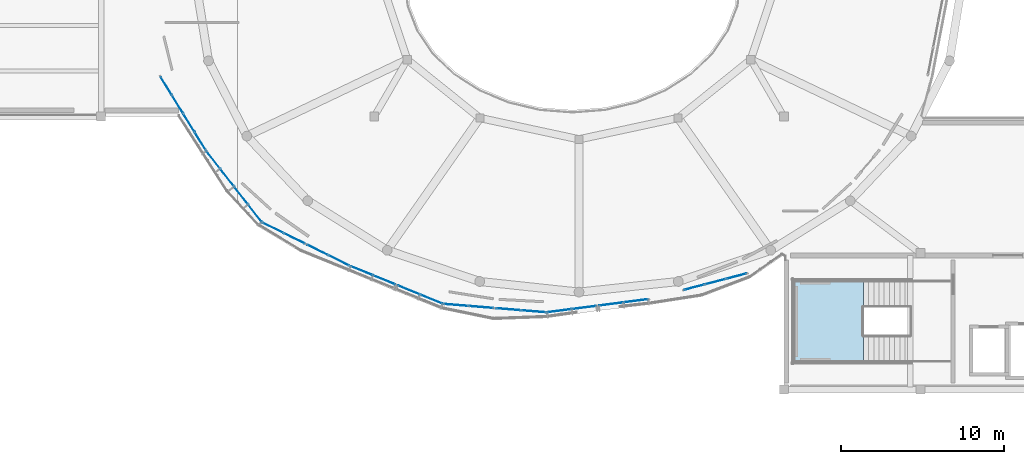
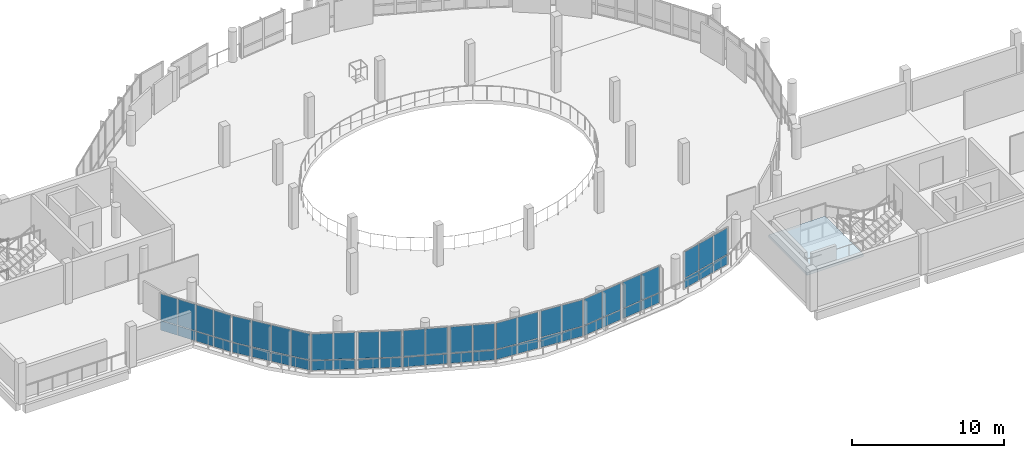
# One storey, part 27 of 43: 54 plates, 1 slab, 12 elements without a shape of their own.
"""IFC4 building model written with IfcOpenShell, lengths in metres."""

from ifc_helpers import new_model, si_unit, derived_unit, direction, frame, origin, origin_2d, place, context, subcontext, project, spatial, polyline, rectangle, outline, extrude, material, layer, layer_set, type_object, element, aggregate, save


model = new_model("IFC4")

# Units and contexts
model_context = context("Model", 3, precision=1e-05, world=origin(), true_north=direction((0.0, 1.0)))
body_context = subcontext(model_context, "Body", "Model", "MODEL_VIEW")
ifc_project = project(units=[si_unit("LENGTHUNIT", "METRE"), si_unit("AREAUNIT", "SQUARE_METRE"), si_unit("VOLUMEUNIT", "CUBIC_METRE"), si_unit("PLANEANGLEUNIT", "RADIAN"), si_unit("MASSUNIT", "GRAM", prefix="KILO"), derived_unit("THERMALTRANSMITTANCEUNIT", [(si_unit("POWERUNIT", "WATT"), 1), (si_unit("LENGTHUNIT", "METRE"), -2), (si_unit("THERMODYNAMICTEMPERATUREUNIT", "KELVIN"), -1)])], contexts=[model_context])

# Site, building, storey
site_placement = place(None, origin())
site = spatial("IfcSite", under=ifc_project, at=site_placement, CompositionType="ELEMENT")
building_placement = place(site_placement, origin())
building = spatial("IfcBuilding", under=site, at=building_placement, Name="Elbkamm Science Centre", CompositionType="ELEMENT")
storey_placement = place(building_placement, frame((0.0, 0.0, 18.300048828125)))
storey = spatial("IfcBuildingStorey", under=building, at=storey_placement, Name="L04", CompositionType="ELEMENT", Elevation=18.300048828125)

# Curtain wall, plates
ifc_material_1 = material(Name="Powder-coated aluminium and triple low-E glazing", Category="aluminium")
ifc_layer_1 = layer(ifc_material_1, 0.159912109375)
ifc_layer_set_1 = layer_set([ifc_layer_1], Name="Powder-coated aluminium and triple low-E glazing")
curtain_wall_type_1 = type_object("IfcCurtainWallType", Name="CW-UNIT-5360x3040", PredefinedType="USERDEFINED", material=ifc_layer_set_1)
curtain_wall_1_placement = place(storey_placement, origin())
curtain_wall_1 = element("IfcCurtainWall", 1, at=curtain_wall_1_placement, inside=storey, type_object=curtain_wall_type_1, Name="L04 Unitised Curtain Wall 090", ObjectType="UNITISED CURTAIN WALL", PredefinedType="USERDEFINED")
ifc_material_2 = material(Name="Triple solar-control insulated safety glass", Category="glass")
ifc_layer_2 = layer(ifc_material_2, 0.031982421875)
ifc_layer_set_2 = layer_set([ifc_layer_2], Name="Triple solar-control insulated safety glass")
plate_type = type_object("IfcPlateType", Name="CW-PNL-32", PredefinedType="CURTAIN_PANEL", material=ifc_layer_set_2)
plate_1_placement = place(storey_placement, frame((37.596435546875, 60.691162109375, 0.06005859375), z_axis=(0.0, 0.0, 1.0), x_axis=(0.524926723085, -0.85114742283, 0.0)))
plate_1 = element("IfcPlate", 2, at=plate_1_placement, type_object=plate_type, Name="CW-043 panel 1.1", PredefinedType="CURTAIN_PANEL", context=body_context, shape_type="SweptSolid", body=[
    extrude(rectangle(XDim=1.251708984375, YDim=0.031982421875, at=origin_2d()), origin(), (0.0, 0.0, 1.0), 0.760009765625),
])
plate_2_placement = place(storey_placement, frame((37.596435546875, 60.691162109375, 0.8798828125), z_axis=(0.0, 0.0, 1.0), x_axis=(0.524926723085, -0.85114742283, 0.0)))
plate_2 = element("IfcPlate", 3, at=plate_2_placement, type_object=plate_type, Name="CW-043 panel 1.2", PredefinedType="CURTAIN_PANEL", context=body_context, shape_type="SweptSolid", body=[
    extrude(rectangle(XDim=1.251708984375, YDim=0.031982421875, at=origin_2d()), origin(), (0.0, 0.0, 1.0), 2.10009765625),
])
plate_3_placement = place(storey_placement, frame((38.292724609375, 59.561767578125, 0.06005859375), z_axis=(0.0, 0.0, 1.0), x_axis=(0.524926723085, -0.85114742283, 0.0)))
plate_3 = element("IfcPlate", 4, at=plate_3_placement, type_object=plate_type, Name="CW-043 panel 2.1", PredefinedType="CURTAIN_PANEL", context=body_context, shape_type="SweptSolid", body=[
    extrude(rectangle(XDim=1.28173828125, YDim=0.031982421875, at=origin_2d()), origin(), (0.0, 0.0, 1.0), 0.760009765625),
])
plate_4_placement = place(storey_placement, frame((38.292724609375, 59.561767578125, 0.8798828125), z_axis=(0.0, 0.0, 1.0), x_axis=(0.524926723085, -0.85114742283, 0.0)))
plate_4 = element("IfcPlate", 5, at=plate_4_placement, type_object=plate_type, Name="CW-043 panel 2.2", PredefinedType="CURTAIN_PANEL", context=body_context, shape_type="SweptSolid", body=[
    extrude(rectangle(XDim=1.28173828125, YDim=0.031982421875, at=origin_2d()), origin(), (0.0, 0.0, 1.0), 2.10009765625),
])
plate_5_placement = place(storey_placement, frame((38.9970703125, 58.419677734375, 0.06005859375), z_axis=(0.0, 0.0, 1.0), x_axis=(0.524926723085, -0.85114742283, 0.0)))
plate_5 = element("IfcPlate", 6, at=plate_5_placement, type_object=plate_type, Name="CW-043 panel 3.1", PredefinedType="CURTAIN_PANEL", context=body_context, shape_type="SweptSolid", body=[
    extrude(rectangle(XDim=1.28173828125, YDim=0.031982421875, at=origin_2d()), origin(), (0.0, 0.0, 1.0), 0.760009765625),
])
plate_6_placement = place(storey_placement, frame((38.9970703125, 58.419677734375, 0.8798828125), z_axis=(0.0, 0.0, 1.0), x_axis=(0.524926723085, -0.85114742283, 0.0)))
plate_6 = element("IfcPlate", 7, at=plate_6_placement, type_object=plate_type, Name="CW-043 panel 3.2", PredefinedType="CURTAIN_PANEL", context=body_context, shape_type="SweptSolid", body=[
    extrude(rectangle(XDim=1.28173828125, YDim=0.031982421875, at=origin_2d()), origin(), (0.0, 0.0, 1.0), 2.10009765625),
])
plate_7_placement = place(storey_placement, frame((39.693603515625, 57.290283203125, 0.06005859375), z_axis=(0.0, 0.0, 1.0), x_axis=(0.524926723085, -0.85114742283, 0.0)))
plate_7 = element("IfcPlate", 8, at=plate_7_placement, type_object=plate_type, Name="CW-043 panel 4.1", PredefinedType="CURTAIN_PANEL", context=body_context, shape_type="SweptSolid", body=[
    extrude(rectangle(XDim=1.251708984375, YDim=0.031982421875, at=origin_2d()), origin(), (0.0, 0.0, 1.0), 0.760009765625),
])
plate_8_placement = place(storey_placement, frame((39.693603515625, 57.290283203125, 0.8798828125), z_axis=(0.0, 0.0, 1.0), x_axis=(0.524926723085, -0.85114742283, 0.0)))
plate_8 = element("IfcPlate", 9, at=plate_8_placement, type_object=plate_type, Name="CW-043 panel 4.2", PredefinedType="CURTAIN_PANEL", context=body_context, shape_type="SweptSolid", body=[
    extrude(rectangle(XDim=1.251708984375, YDim=0.031982421875, at=origin_2d()), origin(), (0.0, 0.0, 1.0), 2.10009765625),
])
aggregate(curtain_wall_1, [plate_1, plate_2, plate_3, plate_4, plate_5, plate_6, plate_7, plate_8])

ifc_layer_3 = layer(ifc_material_1, 0.159912109375)
ifc_layer_set_3 = layer_set([ifc_layer_3], Name="Powder-coated aluminium and triple low-E glazing")
curtain_wall_type_2 = type_object("IfcCurtainWallType", Name="CW-UNIT-5600x3040", PredefinedType="USERDEFINED", material=ifc_layer_set_3)
curtain_wall_2_placement = place(storey_placement, origin())
curtain_wall_2 = element("IfcCurtainWall", 10, at=curtain_wall_2_placement, inside=storey, type_object=curtain_wall_type_2, Name="L04 Unitised Curtain Wall 091", ObjectType="UNITISED CURTAIN WALL", PredefinedType="USERDEFINED")
plate_9_placement = place(storey_placement, frame((40.4931640625, 56.142822265625, 0.06005859375), z_axis=(0.0, 0.0, 1.0), x_axis=(0.614805707522, -0.788678605009, 0.0)))
plate_9 = element("IfcPlate", 11, at=plate_9_placement, type_object=plate_type, Name="CW-044 panel 1.1", PredefinedType="CURTAIN_PANEL", context=body_context, shape_type="SweptSolid", body=[
    extrude(rectangle(XDim=1.309814453125, YDim=0.031982421875, at=origin_2d()), origin(), (0.0, 0.0, 1.0), 0.760009765625),
])
plate_10_placement = place(storey_placement, frame((40.4931640625, 56.142822265625, 0.8798828125), z_axis=(0.0, 0.0, 1.0), x_axis=(0.614805707522, -0.788678605009, 0.0)))
plate_10 = element("IfcPlate", 12, at=plate_10_placement, type_object=plate_type, Name="CW-044 panel 1.2", PredefinedType="CURTAIN_PANEL", context=body_context, shape_type="SweptSolid", body=[
    extrude(rectangle(XDim=1.309814453125, YDim=0.031982421875, at=origin_2d()), origin(), (0.0, 0.0, 1.0), 2.10009765625),
])
plate_11_placement = place(storey_placement, frame((41.3447265625, 55.050537109375, 0.06005859375), z_axis=(0.0, 0.0, 1.0), x_axis=(0.614805707522, -0.788678605009, 0.0)))
plate_11 = element("IfcPlate", 13, at=plate_11_placement, type_object=plate_type, Name="CW-044 panel 2.1", PredefinedType="CURTAIN_PANEL", context=body_context, shape_type="SweptSolid", body=[
    extrude(rectangle(XDim=1.33984375, YDim=0.031982421875, at=origin_2d()), origin(), (0.0, 0.0, 1.0), 0.760009765625),
])
plate_12_placement = place(storey_placement, frame((41.3447265625, 55.050537109375, 0.8798828125), z_axis=(0.0, 0.0, 1.0), x_axis=(0.614805707522, -0.788678605009, 0.0)))
plate_12 = element("IfcPlate", 14, at=plate_12_placement, type_object=plate_type, Name="CW-044 panel 2.2", PredefinedType="CURTAIN_PANEL", context=body_context, shape_type="SweptSolid", body=[
    extrude(rectangle(XDim=1.33984375, YDim=0.031982421875, at=origin_2d()), origin(), (0.0, 0.0, 1.0), 2.10009765625),
])
plate_13_placement = place(storey_placement, frame((42.205322265625, 53.946533203125, 0.06005859375), z_axis=(0.0, 0.0, 1.0), x_axis=(0.614805707522, -0.788678605009, 0.0)))
plate_13 = element("IfcPlate", 15, at=plate_13_placement, type_object=plate_type, Name="CW-044 panel 3.1", PredefinedType="CURTAIN_PANEL", context=body_context, shape_type="SweptSolid", body=[
    extrude(rectangle(XDim=1.33984375, YDim=0.031982421875, at=origin_2d()), origin(), (0.0, 0.0, 1.0), 0.760009765625),
])
plate_14_placement = place(storey_placement, frame((42.205322265625, 53.946533203125, 0.8798828125), z_axis=(0.0, 0.0, 1.0), x_axis=(0.614805707522, -0.788678605009, 0.0)))
plate_14 = element("IfcPlate", 16, at=plate_14_placement, type_object=plate_type, Name="CW-044 panel 3.2", PredefinedType="CURTAIN_PANEL", context=body_context, shape_type="SweptSolid", body=[
    extrude(rectangle(XDim=1.33984375, YDim=0.031982421875, at=origin_2d()), origin(), (0.0, 0.0, 1.0), 2.10009765625),
])
plate_15_placement = place(storey_placement, frame((43.056640625, 52.854248046875, 0.06005859375), z_axis=(0.0, 0.0, 1.0), x_axis=(0.614805707522, -0.788678605009, 0.0)))
plate_15 = element("IfcPlate", 17, at=plate_15_placement, type_object=plate_type, Name="CW-044 panel 4.1", PredefinedType="CURTAIN_PANEL", context=body_context, shape_type="SweptSolid", body=[
    extrude(rectangle(XDim=1.309814453125, YDim=0.031982421875, at=origin_2d()), origin(), (0.0, 0.0, 1.0), 0.760009765625),
])
plate_16_placement = place(storey_placement, frame((43.056640625, 52.854248046875, 0.8798828125), z_axis=(0.0, 0.0, 1.0), x_axis=(0.614805707522, -0.788678605009, 0.0)))
plate_16 = element("IfcPlate", 18, at=plate_16_placement, type_object=plate_type, Name="CW-044 panel 4.2", PredefinedType="CURTAIN_PANEL", context=body_context, shape_type="SweptSolid", body=[
    extrude(rectangle(XDim=1.309814453125, YDim=0.031982421875, at=origin_2d()), origin(), (0.0, 0.0, 1.0), 2.10009765625),
])
aggregate(curtain_wall_2, [plate_9, plate_10, plate_11, plate_12, plate_13, plate_14, plate_15, plate_16])

ifc_layer_4 = layer(ifc_material_1, 0.159912109375)
ifc_layer_set_4 = layer_set([ifc_layer_4], Name="Powder-coated aluminium and triple low-E glazing")
curtain_wall_type_3 = type_object("IfcCurtainWallType", Name="CW-UNIT-2980x3040", PredefinedType="USERDEFINED", material=ifc_layer_set_4)
curtain_wall_3_placement = place(storey_placement, origin())
curtain_wall_3 = element("IfcCurtainWall", 19, at=curtain_wall_3_placement, inside=storey, type_object=curtain_wall_type_3, Name="L04 Unitised Curtain Wall 092", ObjectType="UNITISED CURTAIN WALL", PredefinedType="USERDEFINED")
plate_17_placement = place(storey_placement, frame((44.177001953125, 51.953125, 0.06005859375), z_axis=(0.0, 0.0, 1.0), x_axis=(0.896106095888, -0.443839909102, 0.0)))
plate_17 = element("IfcPlate", 20, at=plate_17_placement, type_object=plate_type, Name="CW-045 panel 1.1", PredefinedType="CURTAIN_PANEL", context=body_context, shape_type="SweptSolid", body=[
    extrude(rectangle(XDim=1.3994140625, YDim=0.031982421875, at=origin_2d()), origin(), (0.0, 0.0, 1.0), 0.760009765625),
])
plate_18_placement = place(storey_placement, frame((44.177001953125, 51.953125, 0.8798828125), z_axis=(0.0, 0.0, 1.0), x_axis=(0.896106095888, -0.443839909102, 0.0)))
plate_18 = element("IfcPlate", 21, at=plate_18_placement, type_object=plate_type, Name="CW-045 panel 1.2", PredefinedType="CURTAIN_PANEL", context=body_context, shape_type="SweptSolid", body=[
    extrude(rectangle(XDim=1.3994140625, YDim=0.031982421875, at=origin_2d()), origin(), (0.0, 0.0, 1.0), 2.10009765625),
])
plate_19_placement = place(storey_placement, frame((45.48486328125, 51.305419921875, 0.06005859375), z_axis=(0.0, 0.0, 1.0), x_axis=(0.896106095888, -0.443839909102, 0.0)))
plate_19 = element("IfcPlate", 22, at=plate_19_placement, type_object=plate_type, Name="CW-045 panel 2.1", PredefinedType="CURTAIN_PANEL", context=body_context, shape_type="SweptSolid", body=[
    extrude(rectangle(XDim=1.3994140625, YDim=0.031982421875, at=origin_2d()), origin(), (0.0, 0.0, 1.0), 0.760009765625),
])
plate_20_placement = place(storey_placement, frame((45.48486328125, 51.305419921875, 0.8798828125), z_axis=(0.0, 0.0, 1.0), x_axis=(0.896106095888, -0.443839909102, 0.0)))
plate_20 = element("IfcPlate", 23, at=plate_20_placement, type_object=plate_type, Name="CW-045 panel 2.2", PredefinedType="CURTAIN_PANEL", context=body_context, shape_type="SweptSolid", body=[
    extrude(rectangle(XDim=1.3994140625, YDim=0.031982421875, at=origin_2d()), origin(), (0.0, 0.0, 1.0), 2.10009765625),
])
aggregate(curtain_wall_3, [plate_17, plate_18, plate_19, plate_20])

curtain_wall_4_placement = place(storey_placement, origin())
curtain_wall_4 = element("IfcCurtainWall", 24, at=curtain_wall_4_placement, inside=storey, type_object=curtain_wall_type_3, Name="L04 Unitised Curtain Wall 093", ObjectType="UNITISED CURTAIN WALL", PredefinedType="USERDEFINED")
plate_21_placement = place(storey_placement, frame((46.91796875, 50.595458984375, 0.06005859375), z_axis=(0.0, 0.0, 1.0), x_axis=(0.896106095888, -0.443839909102, 0.0)))
plate_21 = element("IfcPlate", 25, at=plate_21_placement, type_object=plate_type, Name="CW-045 panel 1.1", PredefinedType="CURTAIN_PANEL", context=body_context, shape_type="SweptSolid", body=[
    extrude(rectangle(XDim=1.3994140625, YDim=0.031982421875, at=origin_2d()), origin(), (0.0, 0.0, 1.0), 0.760009765625),
])
plate_22_placement = place(storey_placement, frame((46.91796875, 50.595458984375, 0.8798828125), z_axis=(0.0, 0.0, 1.0), x_axis=(0.896106095888, -0.443839909102, 0.0)))
plate_22 = element("IfcPlate", 26, at=plate_22_placement, type_object=plate_type, Name="CW-045 panel 1.2", PredefinedType="CURTAIN_PANEL", context=body_context, shape_type="SweptSolid", body=[
    extrude(rectangle(XDim=1.3994140625, YDim=0.031982421875, at=origin_2d()), origin(), (0.0, 0.0, 1.0), 2.10009765625),
])
plate_23_placement = place(storey_placement, frame((48.225830078125, 49.94775390625, 0.06005859375), z_axis=(0.0, 0.0, 1.0), x_axis=(0.896106095888, -0.443839909102, 0.0)))
plate_23 = element("IfcPlate", 27, at=plate_23_placement, type_object=plate_type, Name="CW-045 panel 2.1", PredefinedType="CURTAIN_PANEL", context=body_context, shape_type="SweptSolid", body=[
    extrude(rectangle(XDim=1.3994140625, YDim=0.031982421875, at=origin_2d()), origin(), (0.0, 0.0, 1.0), 0.760009765625),
])
plate_24_placement = place(storey_placement, frame((48.225830078125, 49.94775390625, 0.8798828125), z_axis=(0.0, 0.0, 1.0), x_axis=(0.896106095888, -0.443839909102, 0.0)))
plate_24 = element("IfcPlate", 28, at=plate_24_placement, type_object=plate_type, Name="CW-045 panel 2.2", PredefinedType="CURTAIN_PANEL", context=body_context, shape_type="SweptSolid", body=[
    extrude(rectangle(XDim=1.3994140625, YDim=0.031982421875, at=origin_2d()), origin(), (0.0, 0.0, 1.0), 2.10009765625),
])
aggregate(curtain_wall_4, [plate_21, plate_22, plate_23, plate_24])

ifc_layer_5 = layer(ifc_material_1, 0.159912109375)
ifc_layer_set_5 = layer_set([ifc_layer_5], Name="Powder-coated aluminium and triple low-E glazing")
curtain_wall_type_4 = type_object("IfcCurtainWallType", Name="CW-UNIT-3060x3040", PredefinedType="USERDEFINED", material=ifc_layer_set_5)
curtain_wall_5_placement = place(storey_placement, origin())
curtain_wall_5 = element("IfcCurtainWall", 29, at=curtain_wall_5_placement, inside=storey, type_object=curtain_wall_type_4, Name="L04 Unitised Curtain Wall 094", ObjectType="UNITISED CURTAIN WALL", PredefinedType="USERDEFINED")
plate_25_placement = place(storey_placement, frame((49.626953125, 49.31640625, 0.06005859375), z_axis=(0.0, 0.0, 1.0), x_axis=(0.925805063176, -0.378001302905, 0.0)))
plate_25 = element("IfcPlate", 30, at=plate_25_placement, type_object=plate_type, Name="CW-046 panel 1.1", PredefinedType="CURTAIN_PANEL", context=body_context, shape_type="SweptSolid", body=[
    extrude(rectangle(XDim=1.436279296875, YDim=0.031982421875, at=origin_2d()), origin(), (0.0, 0.0, 1.0), 0.760009765625),
])
plate_26_placement = place(storey_placement, frame((49.626953125, 49.31640625, 0.8798828125), z_axis=(0.0, 0.0, 1.0), x_axis=(0.925805063176, -0.378001302905, 0.0)))
plate_26 = element("IfcPlate", 31, at=plate_26_placement, type_object=plate_type, Name="CW-046 panel 1.2", PredefinedType="CURTAIN_PANEL", context=body_context, shape_type="SweptSolid", body=[
    extrude(rectangle(XDim=1.436279296875, YDim=0.031982421875, at=origin_2d()), origin(), (0.0, 0.0, 1.0), 2.10009765625),
])
plate_27_placement = place(storey_placement, frame((51.01220703125, 48.7509765625, 0.06005859375), z_axis=(0.0, 0.0, 1.0), x_axis=(0.925805063176, -0.378001302905, 0.0)))
plate_27 = element("IfcPlate", 32, at=plate_27_placement, type_object=plate_type, Name="CW-046 panel 2.1", PredefinedType="CURTAIN_PANEL", context=body_context, shape_type="SweptSolid", body=[
    extrude(rectangle(XDim=1.436279296875, YDim=0.031982421875, at=origin_2d()), origin(), (0.0, 0.0, 1.0), 0.760009765625),
])
plate_28_placement = place(storey_placement, frame((51.01220703125, 48.7509765625, 0.8798828125), z_axis=(0.0, 0.0, 1.0), x_axis=(0.925805063176, -0.378001302905, 0.0)))
plate_28 = element("IfcPlate", 33, at=plate_28_placement, type_object=plate_type, Name="CW-046 panel 2.2", PredefinedType="CURTAIN_PANEL", context=body_context, shape_type="SweptSolid", body=[
    extrude(rectangle(XDim=1.436279296875, YDim=0.031982421875, at=origin_2d()), origin(), (0.0, 0.0, 1.0), 2.10009765625),
])
aggregate(curtain_wall_5, [plate_25, plate_26, plate_27, plate_28])

curtain_wall_6_placement = place(storey_placement, origin())
curtain_wall_6 = element("IfcCurtainWall", 34, at=curtain_wall_6_placement, inside=storey, type_object=curtain_wall_type_4, Name="L04 Unitised Curtain Wall 095", ObjectType="UNITISED CURTAIN WALL", PredefinedType="USERDEFINED")
plate_29_placement = place(storey_placement, frame((52.52685546875, 48.13232421875, 0.06005859375), z_axis=(0.0, 0.0, 1.0), x_axis=(0.925805063176, -0.378001302905, 0.0)))
plate_29 = element("IfcPlate", 35, at=plate_29_placement, type_object=plate_type, Name="CW-046 panel 1.1", PredefinedType="CURTAIN_PANEL", context=body_context, shape_type="SweptSolid", body=[
    extrude(rectangle(XDim=1.436279296875, YDim=0.031982421875, at=origin_2d()), origin(), (0.0, 0.0, 1.0), 0.760009765625),
])
plate_30_placement = place(storey_placement, frame((52.52685546875, 48.13232421875, 0.8798828125), z_axis=(0.0, 0.0, 1.0), x_axis=(0.925805063176, -0.378001302905, 0.0)))
plate_30 = element("IfcPlate", 36, at=plate_30_placement, type_object=plate_type, Name="CW-046 panel 1.2", PredefinedType="CURTAIN_PANEL", context=body_context, shape_type="SweptSolid", body=[
    extrude(rectangle(XDim=1.436279296875, YDim=0.031982421875, at=origin_2d()), origin(), (0.0, 0.0, 1.0), 2.10009765625),
])
plate_31_placement = place(storey_placement, frame((53.912109375, 47.56689453125, 0.06005859375), z_axis=(0.0, 0.0, 1.0), x_axis=(0.925805063176, -0.378001302905, 0.0)))
plate_31 = element("IfcPlate", 37, at=plate_31_placement, type_object=plate_type, Name="CW-046 panel 2.1", PredefinedType="CURTAIN_PANEL", context=body_context, shape_type="SweptSolid", body=[
    extrude(rectangle(XDim=1.436279296875, YDim=0.031982421875, at=origin_2d()), origin(), (0.0, 0.0, 1.0), 0.760009765625),
])
plate_32_placement = place(storey_placement, frame((53.912109375, 47.56689453125, 0.8798828125), z_axis=(0.0, 0.0, 1.0), x_axis=(0.925805063176, -0.378001302905, 0.0)))
plate_32 = element("IfcPlate", 38, at=plate_32_placement, type_object=plate_type, Name="CW-046 panel 2.2", PredefinedType="CURTAIN_PANEL", context=body_context, shape_type="SweptSolid", body=[
    extrude(rectangle(XDim=1.436279296875, YDim=0.031982421875, at=origin_2d()), origin(), (0.0, 0.0, 1.0), 2.10009765625),
])
aggregate(curtain_wall_6, [plate_29, plate_30, plate_31, plate_32])

ifc_layer_6 = layer(ifc_material_1, 0.159912109375)
ifc_layer_set_6 = layer_set([ifc_layer_6], Name="Powder-coated aluminium and triple low-E glazing")
curtain_wall_type_5 = type_object("IfcCurtainWallType", Name="CW-UNIT-3160x3040", PredefinedType="USERDEFINED", material=ifc_layer_set_6)
curtain_wall_7_placement = place(storey_placement, origin())
curtain_wall_7 = element("IfcCurtainWall", 39, at=curtain_wall_7_placement, inside=storey, type_object=curtain_wall_type_5, Name="L04 Unitised Curtain Wall 096", ObjectType="UNITISED CURTAIN WALL", PredefinedType="USERDEFINED")
plate_33_placement = place(storey_placement, frame((55.433349609375, 47.20703125, 0.06005859375), z_axis=(0.0, 0.0, 1.0), x_axis=(0.996647104117, -0.081820228887, 0.0)))
plate_33 = element("IfcPlate", 40, at=plate_33_placement, type_object=plate_type, Name="CW-047 panel 1.1", PredefinedType="CURTAIN_PANEL", context=body_context, shape_type="SweptSolid", body=[
    extrude(rectangle(XDim=1.4873046875, YDim=0.031982421875, at=origin_2d()), origin(), (0.0, 0.0, 1.0), 0.760009765625),
])
plate_34_placement = place(storey_placement, frame((55.433349609375, 47.20703125, 0.8798828125), z_axis=(0.0, 0.0, 1.0), x_axis=(0.996647104117, -0.081820228887, 0.0)))
plate_34 = element("IfcPlate", 41, at=plate_34_placement, type_object=plate_type, Name="CW-047 panel 1.2", PredefinedType="CURTAIN_PANEL", context=body_context, shape_type="SweptSolid", body=[
    extrude(rectangle(XDim=1.4873046875, YDim=0.031982421875, at=origin_2d()), origin(), (0.0, 0.0, 1.0), 2.10009765625),
])
plate_35_placement = place(storey_placement, frame((56.9755859375, 47.080322265625, 0.06005859375), z_axis=(0.0, 0.0, 1.0), x_axis=(0.996647104117, -0.081820228887, 0.0)))
plate_35 = element("IfcPlate", 42, at=plate_35_placement, type_object=plate_type, Name="CW-047 panel 2.1", PredefinedType="CURTAIN_PANEL", context=body_context, shape_type="SweptSolid", body=[
    extrude(rectangle(XDim=1.4873046875, YDim=0.031982421875, at=origin_2d()), origin(), (0.0, 0.0, 1.0), 0.760009765625),
])
plate_36_placement = place(storey_placement, frame((56.9755859375, 47.080322265625, 0.8798828125), z_axis=(0.0, 0.0, 1.0), x_axis=(0.996647104117, -0.081820228887, 0.0)))
plate_36 = element("IfcPlate", 43, at=plate_36_placement, type_object=plate_type, Name="CW-047 panel 2.2", PredefinedType="CURTAIN_PANEL", context=body_context, shape_type="SweptSolid", body=[
    extrude(rectangle(XDim=1.4873046875, YDim=0.031982421875, at=origin_2d()), origin(), (0.0, 0.0, 1.0), 2.10009765625),
])
aggregate(curtain_wall_7, [plate_33, plate_34, plate_35, plate_36])

curtain_wall_8_placement = place(storey_placement, origin())
curtain_wall_8 = element("IfcCurtainWall", 44, at=curtain_wall_8_placement, inside=storey, type_object=curtain_wall_type_5, Name="L04 Unitised Curtain Wall 097", ObjectType="UNITISED CURTAIN WALL", PredefinedType="USERDEFINED")
plate_37_placement = place(storey_placement, frame((58.656982421875, 46.9423828125, 0.06005859375), z_axis=(0.0, 0.0, 1.0), x_axis=(0.996647104117, -0.081820228887, 0.0)))
plate_37 = element("IfcPlate", 45, at=plate_37_placement, type_object=plate_type, Name="CW-047 panel 1.1", PredefinedType="CURTAIN_PANEL", context=body_context, shape_type="SweptSolid", body=[
    extrude(rectangle(XDim=1.4873046875, YDim=0.031982421875, at=origin_2d()), origin(), (0.0, 0.0, 1.0), 0.760009765625),
])
plate_38_placement = place(storey_placement, frame((58.656982421875, 46.9423828125, 0.8798828125), z_axis=(0.0, 0.0, 1.0), x_axis=(0.996647104117, -0.081820228887, 0.0)))
plate_38 = element("IfcPlate", 46, at=plate_38_placement, type_object=plate_type, Name="CW-047 panel 1.2", PredefinedType="CURTAIN_PANEL", context=body_context, shape_type="SweptSolid", body=[
    extrude(rectangle(XDim=1.4873046875, YDim=0.031982421875, at=origin_2d()), origin(), (0.0, 0.0, 1.0), 2.10009765625),
])
plate_39_placement = place(storey_placement, frame((60.198974609375, 46.815673828125, 0.06005859375), z_axis=(0.0, 0.0, 1.0), x_axis=(0.996647104117, -0.081820228887, 0.0)))
plate_39 = element("IfcPlate", 47, at=plate_39_placement, type_object=plate_type, Name="CW-047 panel 2.1", PredefinedType="CURTAIN_PANEL", context=body_context, shape_type="SweptSolid", body=[
    extrude(rectangle(XDim=1.4873046875, YDim=0.031982421875, at=origin_2d()), origin(), (0.0, 0.0, 1.0), 0.760009765625),
])
plate_40_placement = place(storey_placement, frame((60.198974609375, 46.815673828125, 0.8798828125), z_axis=(0.0, 0.0, 1.0), x_axis=(0.996647104117, -0.081820228887, 0.0)))
plate_40 = element("IfcPlate", 48, at=plate_40_placement, type_object=plate_type, Name="CW-047 panel 2.2", PredefinedType="CURTAIN_PANEL", context=body_context, shape_type="SweptSolid", body=[
    extrude(rectangle(XDim=1.4873046875, YDim=0.031982421875, at=origin_2d()), origin(), (0.0, 0.0, 1.0), 2.10009765625),
])
aggregate(curtain_wall_8, [plate_37, plate_38, plate_39, plate_40])

ifc_layer_7 = layer(ifc_material_1, 0.159912109375)
ifc_layer_set_7 = layer_set([ifc_layer_7], Name="Powder-coated aluminium and triple low-E glazing")
curtain_wall_type_6 = type_object("IfcCurtainWallType", Name="CW-UNIT-3140x3040", PredefinedType="USERDEFINED", material=ifc_layer_set_7)
curtain_wall_9_placement = place(storey_placement, origin())
curtain_wall_9 = element("IfcCurtainWall", 49, at=curtain_wall_9_placement, inside=storey, type_object=curtain_wall_type_6, Name="L04 Unitised Curtain Wall 098", ObjectType="UNITISED CURTAIN WALL", PredefinedType="USERDEFINED")
plate_41_placement = place(storey_placement, frame((61.791015625, 46.852783203125, 0.06005859375), z_axis=(0.0, 0.0, 1.0), x_axis=(0.991676470219, 0.128754721912, 0.0)))
plate_41 = element("IfcPlate", 50, at=plate_41_placement, type_object=plate_type, Name="CW-048 panel 1.1", PredefinedType="CURTAIN_PANEL", context=body_context, shape_type="SweptSolid", body=[
    extrude(rectangle(XDim=1.475341796875, YDim=0.031982421875, at=origin_2d()), origin(), (0.0, 0.0, 1.0), 0.760009765625),
])
plate_42_placement = place(storey_placement, frame((61.791015625, 46.852783203125, 0.8798828125), z_axis=(0.0, 0.0, 1.0), x_axis=(0.991676470219, 0.128754721912, 0.0)))
plate_42 = element("IfcPlate", 51, at=plate_42_placement, type_object=plate_type, Name="CW-048 panel 1.2", PredefinedType="CURTAIN_PANEL", context=body_context, shape_type="SweptSolid", body=[
    extrude(rectangle(XDim=1.475341796875, YDim=0.031982421875, at=origin_2d()), origin(), (0.0, 0.0, 1.0), 2.10009765625),
])
plate_43_placement = place(storey_placement, frame((63.313720703125, 47.05029296875, 0.06005859375), z_axis=(0.0, 0.0, 1.0), x_axis=(0.991676470219, 0.128754721912, 0.0)))
plate_43 = element("IfcPlate", 52, at=plate_43_placement, type_object=plate_type, Name="CW-048 panel 2.1", PredefinedType="CURTAIN_PANEL", context=body_context, shape_type="SweptSolid", body=[
    extrude(rectangle(XDim=1.475341796875, YDim=0.031982421875, at=origin_2d()), origin(), (0.0, 0.0, 1.0), 0.760009765625),
])
plate_44_placement = place(storey_placement, frame((63.313720703125, 47.05029296875, 0.8798828125), z_axis=(0.0, 0.0, 1.0), x_axis=(0.991676470219, 0.128754721912, 0.0)))
plate_44 = element("IfcPlate", 53, at=plate_44_placement, type_object=plate_type, Name="CW-048 panel 2.2", PredefinedType="CURTAIN_PANEL", context=body_context, shape_type="SweptSolid", body=[
    extrude(rectangle(XDim=1.475341796875, YDim=0.031982421875, at=origin_2d()), origin(), (0.0, 0.0, 1.0), 2.10009765625),
])
aggregate(curtain_wall_9, [plate_41, plate_42, plate_43, plate_44])

curtain_wall_10_placement = place(storey_placement, origin())
curtain_wall_10 = element("IfcCurtainWall", 54, at=curtain_wall_10_placement, inside=storey, type_object=curtain_wall_type_6, Name="L04 Unitised Curtain Wall 099", ObjectType="UNITISED CURTAIN WALL", PredefinedType="USERDEFINED")
plate_45_placement = place(storey_placement, frame((64.97509765625, 47.26611328125, 0.06005859375), z_axis=(0.0, 0.0, 1.0), x_axis=(0.991676470219, 0.128754721912, 0.0)))
plate_45 = element("IfcPlate", 55, at=plate_45_placement, type_object=plate_type, Name="CW-048 panel 1.1", PredefinedType="CURTAIN_PANEL", context=body_context, shape_type="SweptSolid", body=[
    extrude(rectangle(XDim=1.475341796875, YDim=0.031982421875, at=origin_2d()), origin(), (0.0, 0.0, 1.0), 0.760009765625),
])
plate_46_placement = place(storey_placement, frame((64.97509765625, 47.26611328125, 0.8798828125), z_axis=(0.0, 0.0, 1.0), x_axis=(0.991676470219, 0.128754721912, 0.0)))
plate_46 = element("IfcPlate", 56, at=plate_46_placement, type_object=plate_type, Name="CW-048 panel 1.2", PredefinedType="CURTAIN_PANEL", context=body_context, shape_type="SweptSolid", body=[
    extrude(rectangle(XDim=1.475341796875, YDim=0.031982421875, at=origin_2d()), origin(), (0.0, 0.0, 1.0), 2.10009765625),
])
plate_47_placement = place(storey_placement, frame((66.497802734375, 47.463623046875, 0.06005859375), z_axis=(0.0, 0.0, 1.0), x_axis=(0.991676470219, 0.128754721912, 0.0)))
plate_47 = element("IfcPlate", 57, at=plate_47_placement, type_object=plate_type, Name="CW-048 panel 2.1", PredefinedType="CURTAIN_PANEL", context=body_context, shape_type="SweptSolid", body=[
    extrude(rectangle(XDim=1.475341796875, YDim=0.031982421875, at=origin_2d()), origin(), (0.0, 0.0, 1.0), 0.760009765625),
])
plate_48_placement = place(storey_placement, frame((66.497802734375, 47.463623046875, 0.8798828125), z_axis=(0.0, 0.0, 1.0), x_axis=(0.991676470219, 0.128754721912, 0.0)))
plate_48 = element("IfcPlate", 58, at=plate_48_placement, type_object=plate_type, Name="CW-048 panel 2.2", PredefinedType="CURTAIN_PANEL", context=body_context, shape_type="SweptSolid", body=[
    extrude(rectangle(XDim=1.475341796875, YDim=0.031982421875, at=origin_2d()), origin(), (0.0, 0.0, 1.0), 2.10009765625),
])
aggregate(curtain_wall_10, [plate_45, plate_46, plate_47, plate_48])

ifc_layer_8 = layer(ifc_material_1, 0.159912109375)
ifc_layer_set_8 = layer_set([ifc_layer_8], Name="Powder-coated aluminium and triple low-E glazing")
curtain_wall_type_7 = type_object("IfcCurtainWallType", Name="CW-UNIT-4060x3040", PredefinedType="USERDEFINED", material=ifc_layer_set_8)
curtain_wall_11_placement = place(storey_placement, origin())
curtain_wall_11 = element("IfcCurtainWall", 59, at=curtain_wall_11_placement, inside=storey, type_object=curtain_wall_type_7, Name="L04 Unitised Curtain Wall 100", ObjectType="UNITISED CURTAIN WALL", PredefinedType="USERDEFINED")
plate_49_placement = place(storey_placement, frame((70.10009765625, 48.30224609375, 0.06005859375), z_axis=(0.0, 0.0, 1.0), x_axis=(0.967411762145, 0.253208377553, 0.0)))
plate_49 = element("IfcPlate", 60, at=plate_49_placement, type_object=plate_type, Name="CW-049 panel 1.1", PredefinedType="CURTAIN_PANEL", context=body_context, shape_type="SweptSolid", body=[
    extrude(rectangle(XDim=1.262451171875, YDim=0.031982421875, at=origin_2d()), origin(), (0.0, 0.0, 1.0), 0.760009765625),
])
plate_50_placement = place(storey_placement, frame((70.10009765625, 48.30224609375, 0.8798828125), z_axis=(0.0, 0.0, 1.0), x_axis=(0.967411762145, 0.253208377553, 0.0)))
plate_50 = element("IfcPlate", 61, at=plate_50_placement, type_object=plate_type, Name="CW-049 panel 1.2", PredefinedType="CURTAIN_PANEL", context=body_context, shape_type="SweptSolid", body=[
    extrude(rectangle(XDim=1.262451171875, YDim=0.031982421875, at=origin_2d()), origin(), (0.0, 0.0, 1.0), 2.10009765625),
])
plate_51_placement = place(storey_placement, frame((71.39404296875, 48.640869140625, 0.06005859375), z_axis=(0.0, 0.0, 1.0), x_axis=(0.967411762145, 0.253208377553, 0.0)))
plate_51 = element("IfcPlate", 62, at=plate_51_placement, type_object=plate_type, Name="CW-049 panel 2.1", PredefinedType="CURTAIN_PANEL", context=body_context, shape_type="SweptSolid", body=[
    extrude(rectangle(XDim=1.29248046875, YDim=0.031982421875, at=origin_2d()), origin(), (0.0, 0.0, 1.0), 0.760009765625),
])
plate_52_placement = place(storey_placement, frame((71.39404296875, 48.640869140625, 0.8798828125), z_axis=(0.0, 0.0, 1.0), x_axis=(0.967411762145, 0.253208377553, 0.0)))
plate_52 = element("IfcPlate", 63, at=plate_52_placement, type_object=plate_type, Name="CW-049 panel 2.2", PredefinedType="CURTAIN_PANEL", context=body_context, shape_type="SweptSolid", body=[
    extrude(rectangle(XDim=1.29248046875, YDim=0.031982421875, at=origin_2d()), origin(), (0.0, 0.0, 1.0), 2.10009765625),
])
plate_53_placement = place(storey_placement, frame((72.68798828125, 48.9794921875, 0.06005859375), z_axis=(0.0, 0.0, 1.0), x_axis=(0.967411762145, 0.253208377553, 0.0)))
plate_53 = element("IfcPlate", 64, at=plate_53_placement, type_object=plate_type, Name="CW-049 panel 3.1", PredefinedType="CURTAIN_PANEL", context=body_context, shape_type="SweptSolid", body=[
    extrude(rectangle(XDim=1.262451171875, YDim=0.031982421875, at=origin_2d()), origin(), (0.0, 0.0, 1.0), 0.760009765625),
])
plate_54_placement = place(storey_placement, frame((72.68798828125, 48.9794921875, 0.8798828125), z_axis=(0.0, 0.0, 1.0), x_axis=(0.967411762145, 0.253208377553, 0.0)))
plate_54 = element("IfcPlate", 65, at=plate_54_placement, type_object=plate_type, Name="CW-049 panel 3.2", PredefinedType="CURTAIN_PANEL", context=body_context, shape_type="SweptSolid", body=[
    extrude(rectangle(XDim=1.262451171875, YDim=0.031982421875, at=origin_2d()), origin(), (0.0, 0.0, 1.0), 2.10009765625),
])
aggregate(curtain_wall_11, [plate_49, plate_50, plate_51, plate_52, plate_53, plate_54])

# Stair, slab
ifc_material_3 = material(Name="Reinforced concrete C40/50", Category="concrete")
stair_type = type_object("IfcStairType", Name="ST-TWO-20R-165", PredefinedType="USERDEFINED", material=ifc_material_3)
stair_placement = place(storey_placement, origin())
stair = element("IfcStair", 66, at=stair_placement, inside=storey, type_object=stair_type, Name="L04 Core C2 Central Exhibition and Skybridge Core Escape Stair", ObjectType="TWO_RETURN_STAIR", PredefinedType="USERDEFINED")
ifc_layer_9 = layer(ifc_material_3, 0.199951171875)
ifc_layer_set_9 = layer_set([ifc_layer_9], Name="Reinforced concrete C40/50")
slab_type = type_object("IfcSlabType", Name="SLAB-LAND-200", PredefinedType="LANDING", material=ifc_layer_set_9)
slab_placement = place(storey_placement, frame((0.0, 0.0, 1.449951171875)))
slab = element("IfcSlab", 67, at=slab_placement, type_object=slab_type, Name="ST-C2 landing 1", PredefinedType="LANDING", context=body_context, shape_type="SweptSolid", body=[
    extrude(outline(polyline([(80.5, 48.719970703125), (76.199951171875, 48.719970703125), (76.199951171875, 43.679931640625), (80.5, 43.679931640625), (80.5, 48.719970703125)])), origin(), (0.0, 0.0, 1.0), 0.199951171875),
])
aggregate(stair, [slab])

save(model, "model.ifc")
